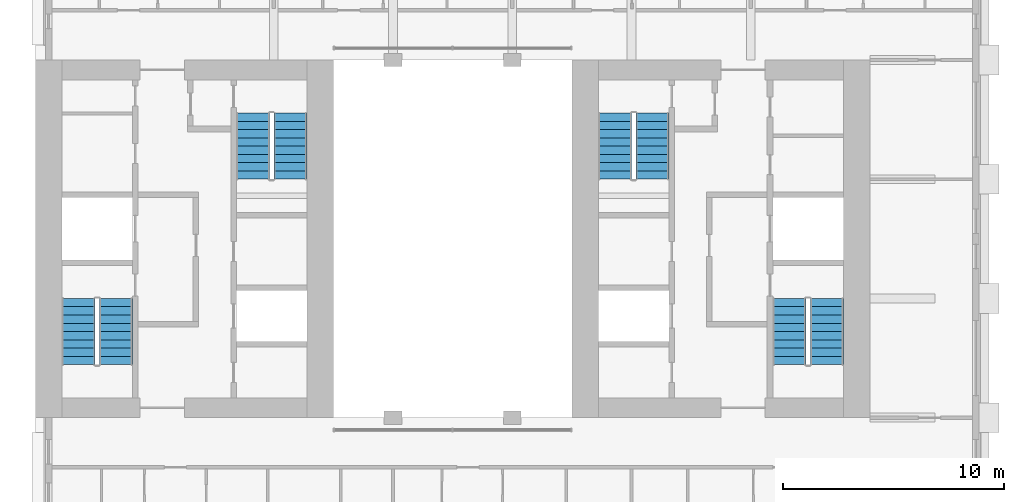
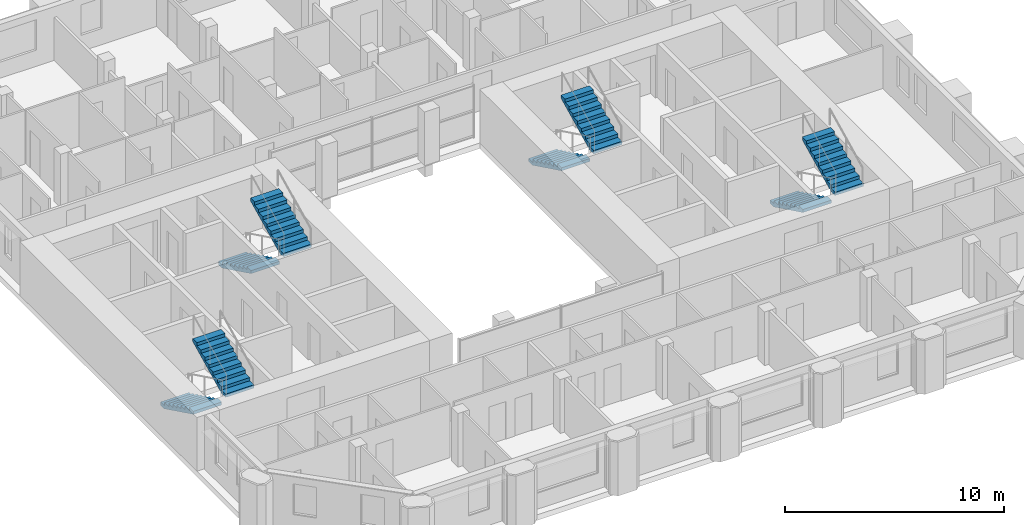
# One storey, part 10 of 13: 8 stair flights, 4 elements without a shape of their own.
"""IFC4 building model written with IfcOpenShell, lengths in metres."""

from ifc_helpers import new_model, si_unit, direction, frame, origin, place, context, subcontext, project, spatial, polyline, outline, extrude, material, type_object, element, aggregate, save


model = new_model("IFC4")

# Units and contexts
model_context = context("Model", 3, precision=1e-05, world=origin(), true_north=direction((0.0, 1.0)))
body_context = subcontext(model_context, "Body", "Model", "MODEL_VIEW")
ifc_project = project(units=[si_unit("LENGTHUNIT", "METRE"), si_unit("AREAUNIT", "SQUARE_METRE"), si_unit("VOLUMEUNIT", "CUBIC_METRE"), si_unit("PLANEANGLEUNIT", "RADIAN"), si_unit("MASSUNIT", "GRAM", prefix="KILO")], contexts=[model_context])

# Site, building, storey
site_placement = place(None, origin())
site = spatial("IfcSite", under=ifc_project, at=site_placement, CompositionType="ELEMENT")
building_placement = place(site_placement, origin())
building = spatial("IfcBuilding", under=site, at=building_placement, Name="Tabaq Tower and Sports Hall", CompositionType="ELEMENT")
storey_placement = place(building_placement, frame((0.0, 0.0, 291.699951171875)))
storey = spatial("IfcBuildingStorey", under=building, at=storey_placement, Name="L72", CompositionType="ELEMENT", Elevation=291.699951171875)

# Stair, stair flights
ifc_material_1 = material(Name="Concrete C40/50", Category="concrete")
stair_type = type_object("IfcStairType", Name="Exit stair", PredefinedType="HALF_TURN_STAIR", material=ifc_material_1)
stair_1_placement = place(storey_placement, origin())
stair_1 = element("IfcStair", 1, at=stair_1_placement, inside=storey, type_object=stair_type, Name="L72 Exit stair ST1", PredefinedType="HALF_TURN_STAIR")
ifc_material_2 = material(Name="Concrete C40/50", Category="concrete")
stair_flight_type = type_object("IfcStairFlightType", Name="Exit stair flight", PredefinedType="STRAIGHT", material=ifc_material_2)
stair_flight_1_placement = place(storey_placement, frame((7.35009765625, 21.60009765625, 0.0), z_axis=(0.0, 0.0, 1.0), x_axis=(0.0, -1.0, 0.0)))
stair_flight_1 = element("IfcStairFlight", 2, at=stair_flight_1_placement, type_object=stair_flight_type, Name="ST1 flight 1", NumberOfRisers=9, NumberOfTreads=8, PredefinedType="STRAIGHT", RiserHeight=0.183333333, TreadLength=0.375, context=body_context, shape_type="SweptSolid", body=[
    extrude(outline(polyline([(0.0, 0.0), (0.0, 0.183349609375), (0.375, 0.183349609375), (0.375, 0.36669921875), (0.75, 0.36669921875), (0.75, 0.550048828125), (1.125, 0.550048828125), (1.125, 0.7333984375), (1.5, 0.7333984375), (1.5, 0.916748046875), (1.875, 0.916748046875), (1.875, 1.10009765625), (2.25, 1.10009765625), (2.25, 1.283447265625), (2.625, 1.283447265625), (2.625, 1.466552734375), (3.0, 1.466552734375), (3.0, 1.64990234375), (3.0, 1.2998046875), (0.34130859375, 0.0), (0.0, 0.0)])), frame((0.0, 0.75, 0.0), z_axis=(0.0, -1.0, 0.0), x_axis=(1.0, 0.0, 0.0)), (0.0, 0.0, 1.0), 1.5),
])
stair_flight_2_placement = place(storey_placement, frame((9.050048828125, 18.60009765625, 1.650146484375), z_axis=(0.0, 0.0, 1.0), x_axis=(0.0, 1.0, 0.0)))
stair_flight_2 = element("IfcStairFlight", 3, at=stair_flight_2_placement, type_object=stair_flight_type, Name="ST1 flight 2", NumberOfRisers=9, NumberOfTreads=8, PredefinedType="STRAIGHT", RiserHeight=0.183333333, TreadLength=0.375, context=body_context, shape_type="SweptSolid", body=[
    extrude(outline(polyline([(0.0, 0.0), (0.0, 0.183349609375), (0.375, 0.183349609375), (0.375, 0.36669921875), (0.75, 0.36669921875), (0.75, 0.550048828125), (1.125, 0.550048828125), (1.125, 0.7333984375), (1.5, 0.7333984375), (1.5, 0.916748046875), (1.875, 0.916748046875), (1.875, 1.10009765625), (2.25, 1.10009765625), (2.25, 1.283447265625), (2.625, 1.283447265625), (2.625, 1.466552734375), (3.0, 1.466552734375), (3.0, 1.64990234375), (3.0, 1.2998046875), (0.34130859375, 0.0), (0.0, 0.0)])), frame((0.0, 0.75, 0.0), z_axis=(0.0, -1.0, 0.0), x_axis=(1.0, 0.0, 0.0)), (0.0, 0.0, 1.0), 1.5),
])
aggregate(stair_1, [stair_flight_1, stair_flight_2])

stair_2_placement = place(storey_placement, origin())
stair_2 = element("IfcStair", 4, at=stair_2_placement, inside=storey, type_object=stair_type, Name="L72 Exit stair ST2", PredefinedType="HALF_TURN_STAIR")
stair_flight_3_placement = place(storey_placement, frame((15.25, 30.0, 0.0), z_axis=(0.0, 0.0, 1.0), x_axis=(0.0, -1.0, 0.0)))
stair_flight_3 = element("IfcStairFlight", 5, at=stair_flight_3_placement, type_object=stair_flight_type, Name="ST2 flight 1", NumberOfRisers=9, NumberOfTreads=8, PredefinedType="STRAIGHT", RiserHeight=0.183333333, TreadLength=0.375, context=body_context, shape_type="SweptSolid", body=[
    extrude(outline(polyline([(0.0, 0.0), (0.0, 0.183349609375), (0.375, 0.183349609375), (0.375, 0.36669921875), (0.75, 0.36669921875), (0.75, 0.550048828125), (1.125, 0.550048828125), (1.125, 0.7333984375), (1.5, 0.7333984375), (1.5, 0.916748046875), (1.875, 0.916748046875), (1.875, 1.10009765625), (2.25, 1.10009765625), (2.25, 1.283447265625), (2.625, 1.283447265625), (2.625, 1.466552734375), (3.0, 1.466552734375), (3.0, 1.64990234375), (3.0, 1.2998046875), (0.34130859375, 0.0), (0.0, 0.0)])), frame((0.0, 0.75, 0.0), z_axis=(0.0, -1.0, 0.0), x_axis=(1.0, 0.0, 0.0)), (0.0, 0.0, 1.0), 1.5),
])
stair_flight_4_placement = place(storey_placement, frame((16.949951171875, 27.0, 1.650146484375), z_axis=(0.0, 0.0, 1.0), x_axis=(0.0, 1.0, 0.0)))
stair_flight_4 = element("IfcStairFlight", 6, at=stair_flight_4_placement, type_object=stair_flight_type, Name="ST2 flight 2", NumberOfRisers=9, NumberOfTreads=8, PredefinedType="STRAIGHT", RiserHeight=0.183333333, TreadLength=0.375, context=body_context, shape_type="SweptSolid", body=[
    extrude(outline(polyline([(0.0, 0.0), (0.0, 0.183349609375), (0.375, 0.183349609375), (0.375, 0.36669921875), (0.75, 0.36669921875), (0.75, 0.550048828125), (1.125, 0.550048828125), (1.125, 0.7333984375), (1.5, 0.7333984375), (1.5, 0.916748046875), (1.875, 0.916748046875), (1.875, 1.10009765625), (2.25, 1.10009765625), (2.25, 1.283447265625), (2.625, 1.283447265625), (2.625, 1.466552734375), (3.0, 1.466552734375), (3.0, 1.64990234375), (3.0, 1.2998046875), (0.34130859375, 0.0), (0.0, 0.0)])), frame((0.0, 0.75, 0.0), z_axis=(0.0, -1.0, 0.0), x_axis=(1.0, 0.0, 0.0)), (0.0, 0.0, 1.0), 1.5),
])
aggregate(stair_2, [stair_flight_3, stair_flight_4])

stair_3_placement = place(storey_placement, origin())
stair_3 = element("IfcStair", 7, at=stair_3_placement, inside=storey, type_object=stair_type, Name="L72 Exit stair ST3", PredefinedType="HALF_TURN_STAIR")
stair_flight_5_placement = place(storey_placement, frame((39.550048828125, 21.60009765625, 0.0), z_axis=(0.0, 0.0, 1.0), x_axis=(0.0, -1.0, 0.0)))
stair_flight_5 = element("IfcStairFlight", 8, at=stair_flight_5_placement, type_object=stair_flight_type, Name="ST3 flight 1", NumberOfRisers=9, NumberOfTreads=8, PredefinedType="STRAIGHT", RiserHeight=0.183333333, TreadLength=0.375, context=body_context, shape_type="SweptSolid", body=[
    extrude(outline(polyline([(0.0, 0.0), (0.0, 0.183349609375), (0.375, 0.183349609375), (0.375, 0.36669921875), (0.75, 0.36669921875), (0.75, 0.550048828125), (1.125, 0.550048828125), (1.125, 0.7333984375), (1.5, 0.7333984375), (1.5, 0.916748046875), (1.875, 0.916748046875), (1.875, 1.10009765625), (2.25, 1.10009765625), (2.25, 1.283447265625), (2.625, 1.283447265625), (2.625, 1.466552734375), (3.0, 1.466552734375), (3.0, 1.64990234375), (3.0, 1.2998046875), (0.34130859375, 0.0), (0.0, 0.0)])), frame((0.0, 0.75, 0.0), z_axis=(0.0, -1.0, 0.0), x_axis=(1.0, 0.0, 0.0)), (0.0, 0.0, 1.0), 1.5),
])
stair_flight_6_placement = place(storey_placement, frame((41.25, 18.60009765625, 1.650146484375), z_axis=(0.0, 0.0, 1.0), x_axis=(0.0, 1.0, 0.0)))
stair_flight_6 = element("IfcStairFlight", 9, at=stair_flight_6_placement, type_object=stair_flight_type, Name="ST3 flight 2", NumberOfRisers=9, NumberOfTreads=8, PredefinedType="STRAIGHT", RiserHeight=0.183333333, TreadLength=0.375, context=body_context, shape_type="SweptSolid", body=[
    extrude(outline(polyline([(0.0, 0.0), (0.0, 0.183349609375), (0.375, 0.183349609375), (0.375, 0.36669921875), (0.75, 0.36669921875), (0.75, 0.550048828125), (1.125, 0.550048828125), (1.125, 0.7333984375), (1.5, 0.7333984375), (1.5, 0.916748046875), (1.875, 0.916748046875), (1.875, 1.10009765625), (2.25, 1.10009765625), (2.25, 1.283447265625), (2.625, 1.283447265625), (2.625, 1.466552734375), (3.0, 1.466552734375), (3.0, 1.64990234375), (3.0, 1.2998046875), (0.34130859375, 0.0), (0.0, 0.0)])), frame((0.0, 0.75, 0.0), z_axis=(0.0, -1.0, 0.0), x_axis=(1.0, 0.0, 0.0)), (0.0, 0.0, 1.0), 1.5),
])
aggregate(stair_3, [stair_flight_5, stair_flight_6])

stair_4_placement = place(storey_placement, origin())
stair_4 = element("IfcStair", 10, at=stair_4_placement, inside=storey, type_object=stair_type, Name="L72 Exit stair ST4", PredefinedType="HALF_TURN_STAIR")
stair_flight_7_placement = place(storey_placement, frame((31.64990234375, 30.0, 0.0), z_axis=(0.0, 0.0, 1.0), x_axis=(0.0, -1.0, 0.0)))
stair_flight_7 = element("IfcStairFlight", 11, at=stair_flight_7_placement, type_object=stair_flight_type, Name="ST4 flight 1", NumberOfRisers=9, NumberOfTreads=8, PredefinedType="STRAIGHT", RiserHeight=0.183333333, TreadLength=0.375, context=body_context, shape_type="SweptSolid", body=[
    extrude(outline(polyline([(0.0, 0.0), (0.0, 0.183349609375), (0.375, 0.183349609375), (0.375, 0.36669921875), (0.75, 0.36669921875), (0.75, 0.550048828125), (1.125, 0.550048828125), (1.125, 0.7333984375), (1.5, 0.7333984375), (1.5, 0.916748046875), (1.875, 0.916748046875), (1.875, 1.10009765625), (2.25, 1.10009765625), (2.25, 1.283447265625), (2.625, 1.283447265625), (2.625, 1.466552734375), (3.0, 1.466552734375), (3.0, 1.64990234375), (3.0, 1.2998046875), (0.34130859375, 0.0), (0.0, 0.0)])), frame((0.0, 0.75, 0.0), z_axis=(0.0, -1.0, 0.0), x_axis=(1.0, 0.0, 0.0)), (0.0, 0.0, 1.0), 1.5),
])
stair_flight_8_placement = place(storey_placement, frame((33.35009765625, 27.0, 1.650146484375), z_axis=(0.0, 0.0, 1.0), x_axis=(0.0, 1.0, 0.0)))
stair_flight_8 = element("IfcStairFlight", 12, at=stair_flight_8_placement, type_object=stair_flight_type, Name="ST4 flight 2", NumberOfRisers=9, NumberOfTreads=8, PredefinedType="STRAIGHT", RiserHeight=0.183333333, TreadLength=0.375, context=body_context, shape_type="SweptSolid", body=[
    extrude(outline(polyline([(0.0, 0.0), (0.0, 0.183349609375), (0.375, 0.183349609375), (0.375, 0.36669921875), (0.75, 0.36669921875), (0.75, 0.550048828125), (1.125, 0.550048828125), (1.125, 0.7333984375), (1.5, 0.7333984375), (1.5, 0.916748046875), (1.875, 0.916748046875), (1.875, 1.10009765625), (2.25, 1.10009765625), (2.25, 1.283447265625), (2.625, 1.283447265625), (2.625, 1.466552734375), (3.0, 1.466552734375), (3.0, 1.64990234375), (3.0, 1.2998046875), (0.34130859375, 0.0), (0.0, 0.0)])), frame((0.0, 0.75, 0.0), z_axis=(0.0, -1.0, 0.0), x_axis=(1.0, 0.0, 0.0)), (0.0, 0.0, 1.0), 1.5),
])
aggregate(stair_4, [stair_flight_7, stair_flight_8])

save(model, "model.ifc")
